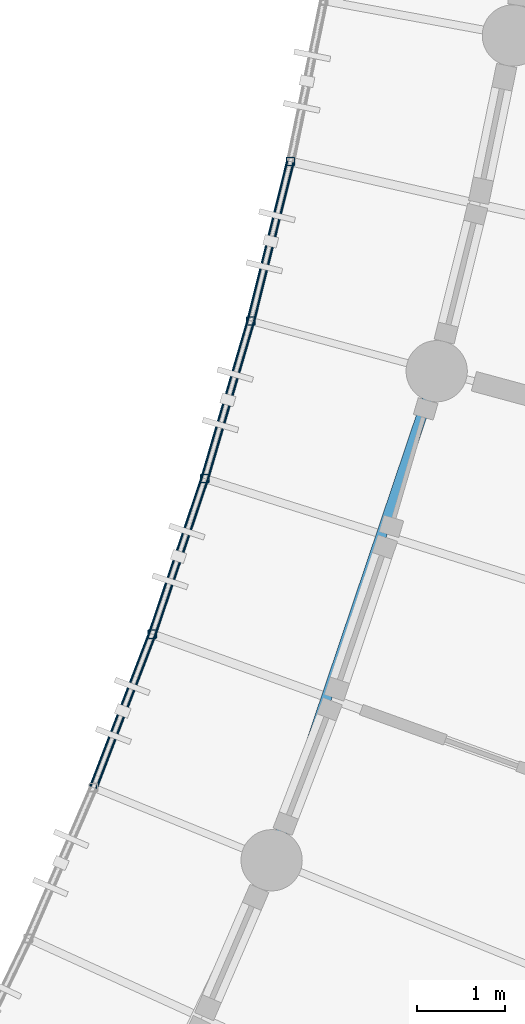
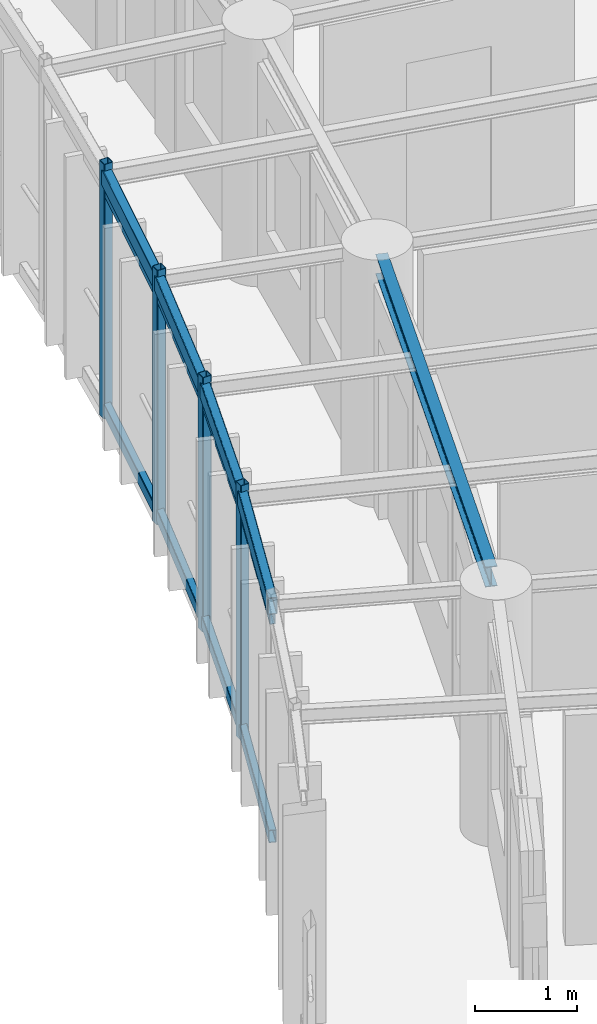
# One storey, part 14 of 100: 12 members, 5 beams.
"""IFC4 building model written with IfcOpenShell, lengths in metres."""

from ifc_helpers import new_model, si_unit, direction, frame, origin, origin_2d, place, context, subcontext, project, spatial, hollow_rectangle, i_section, extrude, material, material_profile, profile_set, type_object, element, save


model = new_model("IFC4")

# Units and contexts
model_context = context("Model", 3, precision=1e-05, world=origin(), true_north=direction((0.0, 1.0)))
body_context = subcontext(model_context, "Body", "Model", "MODEL_VIEW")
ifc_project = project(units=[si_unit("LENGTHUNIT", "METRE"), si_unit("AREAUNIT", "SQUARE_METRE"), si_unit("VOLUMEUNIT", "CUBIC_METRE"), si_unit("PLANEANGLEUNIT", "RADIAN"), si_unit("MASSUNIT", "GRAM", prefix="KILO"), si_unit("POWERUNIT", "WATT"), si_unit("THERMODYNAMICTEMPERATUREUNIT", "KELVIN")], contexts=[model_context])

# Site, building, storey
site_placement = place(None, origin())
site = spatial("IfcSite", under=ifc_project, at=site_placement, CompositionType="ELEMENT")
building_placement = place(site_placement, origin())
building = spatial("IfcBuilding", under=site, at=building_placement, Name="Ruvembo Vaulted Housing Court", CompositionType="ELEMENT")
storey_placement = place(building_placement, frame((0.0, 0.0, 10.89990234375)))
storey = spatial("IfcBuildingStorey", under=building, at=storey_placement, Name="L03", CompositionType="ELEMENT", Elevation=10.89990234375)

# Beams
ifc_material = material(Name="Steel S355J2", Category="steel")
ifc_material_profile_1 = material_profile(ifc_material, i_section(OverallWidth=0.1201171875, OverallDepth=0.239990234375, WebThickness=0.006103515625, FlangeThickness=0.009765625, FilletRadius=0.014892578125, at=origin_2d()), Name="IPE 240")
ifc_profile_set_1 = profile_set([ifc_material_profile_1], Name="Steel S355J2")
beam_type_1 = type_object("IfcBeamType", Name="BM-ST-IPE240", PredefinedType="BEAM", material=ifc_profile_set_1)
beam_1_placement = place(storey_placement, frame((46.523681640625, 56.101806640625, 2.822021484375), z_axis=(0.319795272314, 0.947486666822, 0.0), x_axis=(-0.947486666822, 0.319795272314, 0.0)))
element("IfcBeam", 1, at=beam_1_placement, inside=storey, type_object=beam_type_1, Name="Scoop SC1 L03 Chord Girder F9", PredefinedType="BEAM", context=body_context, shape_type="SweptSolid", body=[
    extrude(i_section(OverallWidth=0.1201171875, OverallDepth=0.239990234375, WebThickness=0.006103515625, FlangeThickness=0.009765625, FilletRadius=0.014892578125, at=origin_2d()), origin(), (0.0, 0.0, 1.0), 5.43701171875),
])
ifc_material_profile_2 = material_profile(ifc_material, hollow_rectangle(XDim=0.10009765625, YDim=0.199951171875, WallThickness=0.008056640625, InnerFilletRadius=0.008056640625, OuterFilletRadius=0.01611328125, at=origin_2d()), Name="RHS 200x100x8")
ifc_profile_set_2 = profile_set([ifc_material_profile_2], Name="Steel S355J2")
beam_type_2 = type_object("IfcBeamType", Name="BM-ST-RHS200", PredefinedType="SPANDREL", material=ifc_profile_set_2)
beam_2_placement = place(storey_placement, frame((44.41259765625, 56.714111328125, 2.840087890625), z_axis=(0.358368836189, 0.933580086146, 0.0), x_axis=(-0.933580086146, 0.358368836189, 0.0)))
element("IfcBeam", 2, at=beam_2_placement, inside=storey, type_object=beam_type_2, Name="Scoop SC1 L03 Balcony Edge Spandrel 9", PredefinedType="SPANDREL", context=body_context, shape_type="SweptSolid", body=[
    extrude(hollow_rectangle(XDim=0.10009765625, YDim=0.199951171875, WallThickness=0.008056640625, InnerFilletRadius=0.008056640625, OuterFilletRadius=0.01611328125, at=origin_2d()), origin(), (0.0, 0.0, 1.0), 1.876953125),
])
beam_3_placement = place(storey_placement, frame((45.085205078125, 58.46630859375, 2.840087890625), z_axis=(0.319933403304, 0.947440033696, 0.0), x_axis=(-0.947440033696, 0.319933403304, 0.0)))
element("IfcBeam", 3, at=beam_3_placement, inside=storey, type_object=beam_type_2, Name="Scoop SC1 L03 Balcony Edge Spandrel 10", PredefinedType="SPANDREL", context=body_context, shape_type="SweptSolid", body=[
    extrude(hollow_rectangle(XDim=0.10009765625, YDim=0.199951171875, WallThickness=0.008056640625, InnerFilletRadius=0.008056640625, OuterFilletRadius=0.01611328125, at=origin_2d()), origin(), (0.0, 0.0, 1.0), 1.87646484375),
])
for number, where, z_axis, x_axis, name in (
    (4, (45.685546875, 60.244140625, 2.840087890625), (0.280729242843, 0.959787003565, 0.0), (-0.959787003565, 0.280729242843, 0.0), "Scoop SC1 L03 Balcony Edge Spandrel 11"),
    (5, (46.21240234375, 62.04541015625, 2.840087890625), (0.241066038615, 0.970508714555, 0.0), (-0.970508714555, 0.241066038615, 0.0), "Scoop SC1 L03 Balcony Edge Spandrel 12"),
):
    element("IfcBeam", number, at=place(storey_placement, frame(where, z_axis=z_axis, x_axis=x_axis)), inside=storey, type_object=beam_type_2, Name=name, PredefinedType="SPANDREL", context=body_context, shape_type="SweptSolid", body=[
        extrude(hollow_rectangle(XDim=0.10009765625, YDim=0.199951171875, WallThickness=0.008056640625, InnerFilletRadius=0.008056640625, OuterFilletRadius=0.01611328125, at=origin_2d()), origin(), (0.0, 0.0, 1.0), 1.876708984375),
    ])

# Members
ifc_material_profile_3 = material_profile(ifc_material, hollow_rectangle(XDim=0.06005859375, YDim=0.1201171875, WallThickness=0.0048828125, InnerFilletRadius=0.0048828125, OuterFilletRadius=0.010009765625, at=origin_2d()), Name="RHS 120x60x5")
ifc_profile_set_3 = profile_set([ifc_material_profile_3], Name="Steel S355J2")
member_type_1 = type_object("IfcMemberType", Name="MEM-CAR-RHS120", PredefinedType="CHORD", material=ifc_profile_set_3)
member_1_placement = place(storey_placement, frame((44.41259765625, 56.714111328125, 2.68310546875), z_axis=(0.358368836189, 0.933580086146, 0.0), x_axis=(-0.933580086146, 0.358368836189, 0.0)))
element("IfcMember", 6, at=member_1_placement, inside=storey, type_object=member_type_1, Name="Scoop SC1 L03 Upper Louvre Carrier Rail 9", PredefinedType="CHORD", context=body_context, shape_type="SweptSolid", body=[
    extrude(hollow_rectangle(XDim=0.06005859375, YDim=0.1201171875, WallThickness=0.0048828125, InnerFilletRadius=0.0048828125, OuterFilletRadius=0.010009765625, at=origin_2d()), origin(), (0.0, 0.0, 1.0), 1.876953125),
])
member_2_placement = place(storey_placement, frame((45.085205078125, 58.46630859375, 2.68310546875), z_axis=(0.319933403304, 0.947440033696, 0.0), x_axis=(-0.947440033696, 0.319933403304, 0.0)))
element("IfcMember", 7, at=member_2_placement, inside=storey, type_object=member_type_1, Name="Scoop SC1 L03 Upper Louvre Carrier Rail 10", PredefinedType="CHORD", context=body_context, shape_type="SweptSolid", body=[
    extrude(hollow_rectangle(XDim=0.06005859375, YDim=0.1201171875, WallThickness=0.0048828125, InnerFilletRadius=0.0048828125, OuterFilletRadius=0.010009765625, at=origin_2d()), origin(), (0.0, 0.0, 1.0), 1.87646484375),
])
for number, where, z_axis, x_axis, name in (
    (8, (45.685546875, 60.244140625, 2.68310546875), (0.280729242843, 0.959787003565, 0.0), (-0.959787003565, 0.280729242843, 0.0), "Scoop SC1 L03 Upper Louvre Carrier Rail 11"),
    (9, (46.21240234375, 62.04541015625, 2.68310546875), (0.241066038615, 0.970508714555, 0.0), (-0.970508714555, 0.241066038615, 0.0), "Scoop SC1 L03 Upper Louvre Carrier Rail 12"),
):
    element("IfcMember", number, at=place(storey_placement, frame(where, z_axis=z_axis, x_axis=x_axis)), inside=storey, type_object=member_type_1, Name=name, PredefinedType="CHORD", context=body_context, shape_type="SweptSolid", body=[
        extrude(hollow_rectangle(XDim=0.06005859375, YDim=0.1201171875, WallThickness=0.0048828125, InnerFilletRadius=0.0048828125, OuterFilletRadius=0.010009765625, at=origin_2d()), origin(), (0.0, 0.0, 1.0), 1.876708984375),
    ])
ifc_material_profile_4 = material_profile(ifc_material, hollow_rectangle(XDim=0.080078125, YDim=0.14990234375, WallThickness=0.00634765625, InnerFilletRadius=0.00634765625, OuterFilletRadius=0.0126953125, at=origin_2d()), Name="RHS 150x80x6.3")
ifc_profile_set_4 = profile_set([ifc_material_profile_4], Name="Steel S355J2")
member_type_2 = type_object("IfcMemberType", Name="MEM-CAR-RHS150", PredefinedType="CHORD", material=ifc_profile_set_4)
member_3_placement = place(storey_placement, frame((44.41259765625, 56.714111328125, 0.09521484375), z_axis=(0.358368836189, 0.933580086146, 0.0), x_axis=(-0.933580086146, 0.358368836189, 0.0)))
element("IfcMember", 10, at=member_3_placement, inside=storey, type_object=member_type_2, Name="Scoop SC1 L03 Lower Louvre Carrier Rail 9", PredefinedType="CHORD", context=body_context, shape_type="SweptSolid", body=[
    extrude(hollow_rectangle(XDim=0.080078125, YDim=0.14990234375, WallThickness=0.00634765625, InnerFilletRadius=0.00634765625, OuterFilletRadius=0.0126953125, at=origin_2d()), origin(), (0.0, 0.0, 1.0), 1.876953125),
])
member_4_placement = place(storey_placement, frame((45.085205078125, 58.46630859375, 0.09521484375), z_axis=(0.319933403304, 0.947440033696, 0.0), x_axis=(-0.947440033696, 0.319933403304, 0.0)))
element("IfcMember", 11, at=member_4_placement, inside=storey, type_object=member_type_2, Name="Scoop SC1 L03 Lower Louvre Carrier Rail 10", PredefinedType="CHORD", context=body_context, shape_type="SweptSolid", body=[
    extrude(hollow_rectangle(XDim=0.080078125, YDim=0.14990234375, WallThickness=0.00634765625, InnerFilletRadius=0.00634765625, OuterFilletRadius=0.0126953125, at=origin_2d()), origin(), (0.0, 0.0, 1.0), 1.87646484375),
])
for number, where, z_axis, x_axis, name in (
    (12, (45.685546875, 60.244140625, 0.09521484375), (0.280729242843, 0.959787003565, 0.0), (-0.959787003565, 0.280729242843, 0.0), "Scoop SC1 L03 Lower Louvre Carrier Rail 11"),
    (13, (46.21240234375, 62.04541015625, 0.09521484375), (0.241066038615, 0.970508714555, 0.0), (-0.970508714555, 0.241066038615, 0.0), "Scoop SC1 L03 Lower Louvre Carrier Rail 12"),
):
    element("IfcMember", number, at=place(storey_placement, frame(where, z_axis=z_axis, x_axis=x_axis)), inside=storey, type_object=member_type_2, Name=name, PredefinedType="CHORD", context=body_context, shape_type="SweptSolid", body=[
        extrude(hollow_rectangle(XDim=0.080078125, YDim=0.14990234375, WallThickness=0.00634765625, InnerFilletRadius=0.00634765625, OuterFilletRadius=0.0126953125, at=origin_2d()), origin(), (0.0, 0.0, 1.0), 1.876708984375),
    ])
ifc_material_profile_5 = material_profile(ifc_material, hollow_rectangle(XDim=0.10009765625, YDim=0.10009765625, WallThickness=0.00634765625, InnerFilletRadius=0.00634765625, OuterFilletRadius=0.0126953125, at=origin_2d()), Name="SHS 100x100x6.3")
ifc_profile_set_5 = profile_set([ifc_material_profile_5], Name="Steel S355J2")
member_type_3 = type_object("IfcMemberType", Name="MEM-FRM-SHS100", PredefinedType="STRUT", material=ifc_profile_set_5)
for number, where, z_axis, x_axis, name in (
    (14, (45.085205078125, 58.46630859375, -0.014892578125), (0.0, 0.0, 1.0), (1.0, 0.0, 0.0), "Scoop SC1 L03 Louvre Frame Post 10"),
    (15, (45.685546875, 60.244140625, -0.014892578125), (0.0, 0.0, 1.0), (1.0, 0.0, 0.0), "Scoop SC1 L03 Louvre Frame Post 11"),
    (16, (46.21240234375, 62.04541015625, -0.014892578125), (0.0, 0.0, 1.0), (1.0, 0.0, 0.0), "Scoop SC1 L03 Louvre Frame Post 12"),
    (17, (46.664794921875, 63.86669921875, -0.014892578125), (0.0, 0.0, 1.0), (1.0, 0.0, 0.0), "Scoop SC1 L03 Louvre Frame Post 13"),
):
    element("IfcMember", number, at=place(storey_placement, frame(where, z_axis=z_axis, x_axis=x_axis)), inside=storey, type_object=member_type_3, Name=name, PredefinedType="STRUT", context=body_context, shape_type="SweptSolid", body=[
        extrude(hollow_rectangle(XDim=0.10009765625, YDim=0.10009765625, WallThickness=0.00634765625, InnerFilletRadius=0.00634765625, OuterFilletRadius=0.0126953125, at=origin_2d()), origin(), (0.0, 0.0, 1.0), 3.032958984375),
    ])

save(model, "model.ifc")
